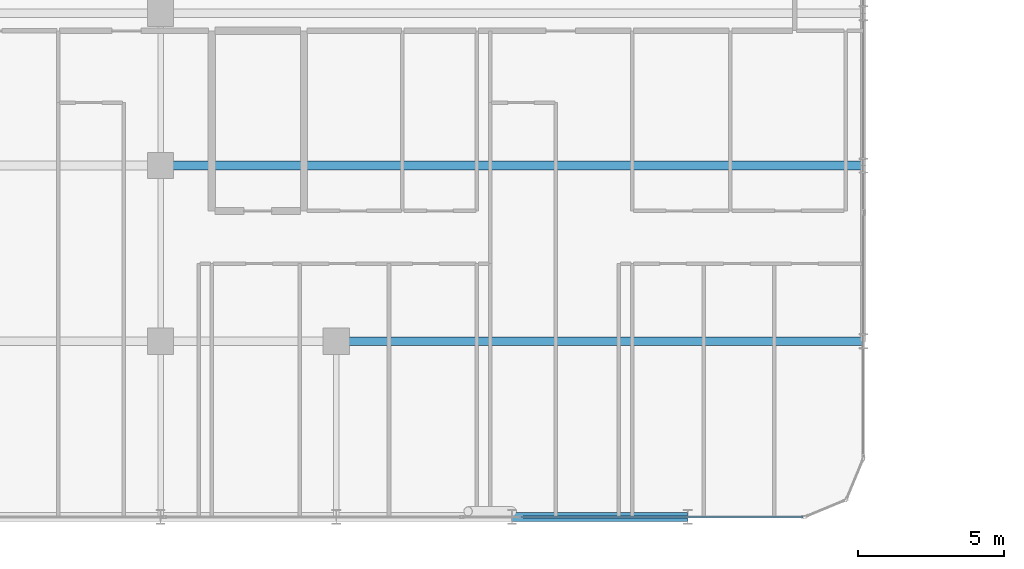
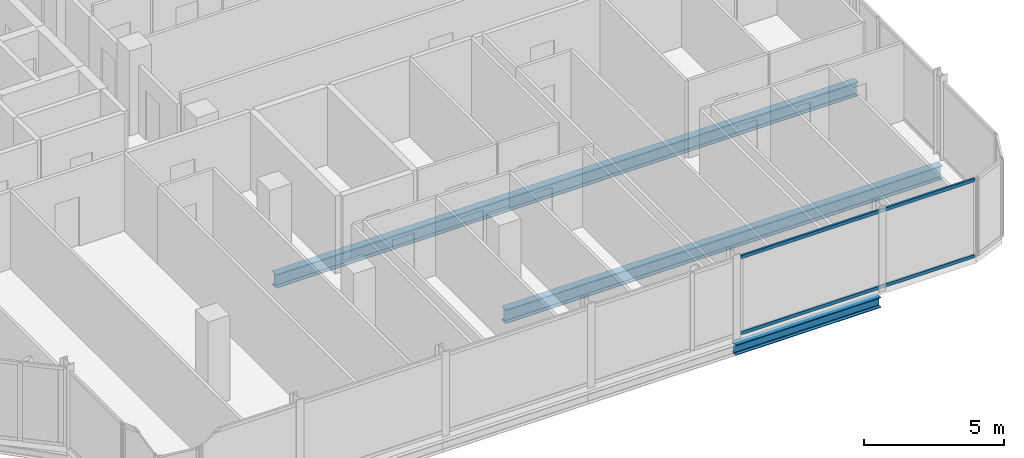
# One storey, part 10 of 32: 3 beams, 2 members, 1 element without a shape of its own.
"""IFC4 building model written with IfcOpenShell, lengths in metres."""

from ifc_helpers import new_model, si_unit, direction, frame, origin, origin_2d, place, context, subcontext, project, spatial, hollow_rectangle, i_section, extrude, material, layer, layer_set, material_profile, profile_set, type_object, element, aggregate, save


model = new_model("IFC4")

# Units and contexts
model_context = context("Model", 3, precision=1e-05, world=origin(), true_north=direction((0.0, 1.0)))
body_context = subcontext(model_context, "Body", "Model", "MODEL_VIEW")
ifc_project = project(units=[si_unit("LENGTHUNIT", "METRE"), si_unit("AREAUNIT", "SQUARE_METRE"), si_unit("VOLUMEUNIT", "CUBIC_METRE"), si_unit("PLANEANGLEUNIT", "RADIAN"), si_unit("MASSUNIT", "GRAM", prefix="KILO")], contexts=[model_context])

# Site, building, storey
site_placement = place(None, origin())
site = spatial("IfcSite", under=ifc_project, at=site_placement, CompositionType="ELEMENT")
building_placement = place(site_placement, origin())
building = spatial("IfcBuilding", under=site, at=building_placement, Name="Keshet Zoharim Tower", CompositionType="ELEMENT")
storey_placement = place(building_placement, frame((0.0, 0.0, 137.199951171875)))
storey = spatial("IfcBuildingStorey", under=building, at=storey_placement, Name="L33", CompositionType="ELEMENT", Elevation=137.199951171875)

# Beams
ifc_material_1 = material(Name="Steel S355", Category="steel")
ifc_material_profile_1 = material_profile(ifc_material_1, i_section(OverallWidth=0.300048828125, OverallDepth=0.60009765625, WebThickness=0.015380859375, FlangeThickness=0.030029296875, FilletRadius=0.027099609375, at=origin_2d()), Name="HEB600")
ifc_profile_set_1 = profile_set([ifc_material_profile_1], Name="Steel S355")
beam_type_1 = type_object("IfcBeamType", Name="BM-LNG-HB600", PredefinedType="BEAM", material=ifc_profile_set_1)
beam_1_placement = place(storey_placement, frame((39.0, 6.699951171875, -0.614990234375), z_axis=(1.0, 0.0, 0.0), x_axis=(0.0, 1.0, 0.0)))
element("IfcBeam", 1, at=beam_1_placement, inside=storey, type_object=beam_type_1, Name="L33 Primary Girder X-008", PredefinedType="BEAM", context=body_context, shape_type="SweptSolid", body=[
    extrude(i_section(OverallWidth=0.300048828125, OverallDepth=0.60009765625, WebThickness=0.015380859375, FlangeThickness=0.030029296875, FilletRadius=0.027099609375, at=origin_2d()), origin(), (0.0, 0.0, 1.0), 18.0),
])
beam_2_placement = place(storey_placement, frame((33.0, 12.699951171875, -0.614990234375), z_axis=(1.0, 0.0, 0.0), x_axis=(0.0, 1.0, 0.0)))
element("IfcBeam", 2, at=beam_2_placement, inside=storey, type_object=beam_type_1, Name="L33 Primary Girder X-010", PredefinedType="BEAM", context=body_context, shape_type="SweptSolid", body=[
    extrude(i_section(OverallWidth=0.300048828125, OverallDepth=0.60009765625, WebThickness=0.015380859375, FlangeThickness=0.030029296875, FilletRadius=0.027099609375, at=origin_2d()), origin(), (0.0, 0.0, 1.0), 24.0),
])
ifc_material_profile_2 = material_profile(ifc_material_1, i_section(OverallWidth=0.300048828125, OverallDepth=0.449951171875, WebThickness=0.013916015625, FlangeThickness=0.02587890625, FilletRadius=0.027099609375, at=origin_2d()), Name="HEB450")
ifc_profile_set_2 = profile_set([ifc_material_profile_2], Name="Steel S355")
beam_type_2 = type_object("IfcBeamType", Name="BM-WEB-HB450", PredefinedType="BEAM", material=ifc_profile_set_2)
beam_3_placement = place(storey_placement, frame((45.0, 0.699951171875, -0.5400390625), z_axis=(1.0, 0.0, 0.0), x_axis=(0.0, 1.0, 0.0)))
element("IfcBeam", 3, at=beam_3_placement, inside=storey, type_object=beam_type_2, Name="L33 Primary Girder X-004", PredefinedType="BEAM", context=body_context, shape_type="SweptSolid", body=[
    extrude(i_section(OverallWidth=0.300048828125, OverallDepth=0.449951171875, WebThickness=0.013916015625, FlangeThickness=0.02587890625, FilletRadius=0.027099609375, at=origin_2d()), origin(), (0.0, 0.0, 1.0), 6.0),
])

# Curtain wall, members
ifc_material_2 = material(Name="Aluminium 6063-T6", Category="aluminium")
ifc_layer = layer(ifc_material_2, 0.159912109375)
ifc_layer_set = layer_set([ifc_layer], Name="Aluminium 6063-T6")
curtain_wall_type = type_object("IfcCurtainWallType", Name="CW-SYS-03", PredefinedType="NOTDEFINED", material=ifc_layer_set)
curtain_wall_placement = place(storey_placement, origin())
curtain_wall = element("IfcCurtainWall", 4, at=curtain_wall_placement, inside=storey, type_object=curtain_wall_type, Name="L33 Unitised Curtain Wall 03", PredefinedType="NOTDEFINED")
ifc_material_profile_3 = material_profile(ifc_material_2, hollow_rectangle(XDim=0.080078125, YDim=0.139892578125, WallThickness=0.00390625, at=origin_2d()), Name="TRN-80x140")
ifc_profile_set_3 = profile_set([ifc_material_profile_3], Name="Aluminium 6063-T6")
member_type = type_object("IfcMemberType", Name="CWT-T14", PredefinedType="USERDEFINED", material=ifc_profile_set_3)
member_1_placement = place(storey_placement, frame((54.929931640625, 0.699951171875, 0.03515625), z_axis=(-1.0, 0.0, 0.0), x_axis=(0.0, -1.0, 0.0)))
member_1 = element("IfcMember", 5, at=member_1_placement, type_object=member_type, Name="CW-03 transom 1.1", ObjectType="TRANSOM", PredefinedType="USERDEFINED", context=body_context, shape_type="SweptSolid", body=[
    extrude(hollow_rectangle(XDim=0.080078125, YDim=0.139892578125, WallThickness=0.00390625, at=origin_2d()), origin(), (0.0, 0.0, 1.0), 9.61181640625),
])
member_2_placement = place(storey_placement, frame((54.929931640625, 0.699951171875, 3.35009765625), z_axis=(-1.0, 0.0, 0.0), x_axis=(0.0, -1.0, 0.0)))
member_2 = element("IfcMember", 6, at=member_2_placement, type_object=member_type, Name="CW-03 transom 1.2", ObjectType="TRANSOM", PredefinedType="USERDEFINED", context=body_context, shape_type="SweptSolid", body=[
    extrude(hollow_rectangle(XDim=0.080078125, YDim=0.139892578125, WallThickness=0.00390625, at=origin_2d()), origin(), (0.0, 0.0, 1.0), 9.61181640625),
])
aggregate(curtain_wall, [member_1, member_2])

save(model, "model.ifc")
